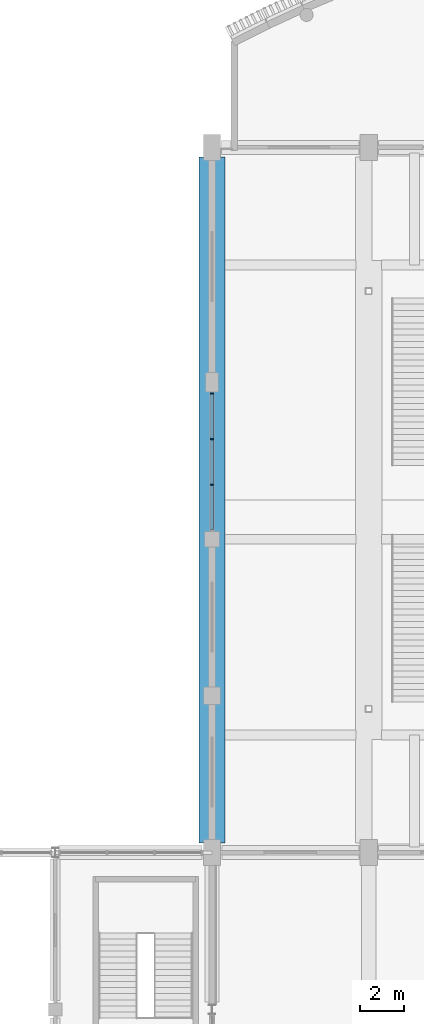
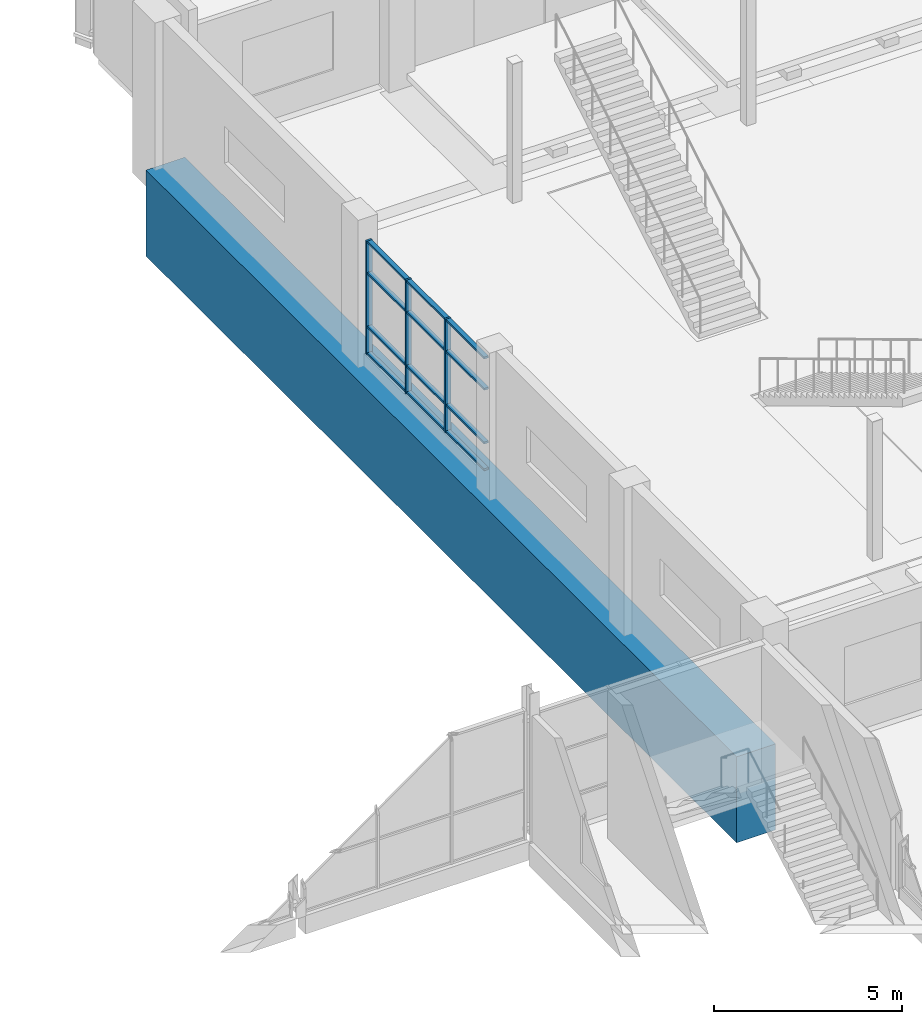
# One storey, part 34 of 82: 15 members, 1 beam, 1 element without a shape of its own.
"""IFC4 building model written with IfcOpenShell, lengths in metres."""

from ifc_helpers import new_model, si_unit, direction, frame, origin, origin_2d, place, context, subcontext, project, spatial, rectangle, extrude, material, material_profile, profile_set, type_object, element, aggregate, save


model = new_model("IFC4")

# Units and contexts
model_context = context("Model", 3, precision=1e-05, world=origin(), true_north=direction((0.0, 1.0)))
body_context = subcontext(model_context, "Body", "Model", "MODEL_VIEW")
ifc_project = project(units=[si_unit("LENGTHUNIT", "METRE"), si_unit("AREAUNIT", "SQUARE_METRE"), si_unit("VOLUMEUNIT", "CUBIC_METRE"), si_unit("PLANEANGLEUNIT", "RADIAN"), si_unit("MASSUNIT", "GRAM", prefix="KILO")], contexts=[model_context])

# Site, building, storey
site_placement = place(None, origin())
site = spatial("IfcSite", under=ifc_project, at=site_placement, CompositionType="ELEMENT")
building_placement = place(site_placement, origin())
building = spatial("IfcBuilding", under=site, at=building_placement, Name="Sardonyx Promenade Sports Hall", CompositionType="ELEMENT")
storey_placement = place(building_placement, frame((0.0, 0.0, 11.199951171875)))
storey = spatial("IfcBuildingStorey", under=building, at=storey_placement, Name="L02", CompositionType="ELEMENT", Elevation=11.199951171875)

# Beam
ifc_material_1 = material(Name="Post-tensioned concrete C50/60", Category="concrete")
ifc_material_profile_1 = material_profile(ifc_material_1, rectangle(XDim=1.199951171875, YDim=2.800048828125, at=origin_2d()))
ifc_profile_set_1 = profile_set([ifc_material_profile_1], Name="Post-tensioned concrete C50/60")
beam_type = type_object("IfcBeamType", Name="Bm_PT_Transfer_32m", PredefinedType="USERDEFINED", material=ifc_profile_set_1)
beam_placement = place(storey_placement, frame((28.800048828125, 72.449951171875, -1.39990234375), z_axis=(0.0, 1.0, 0.0), x_axis=(-1.0, 0.0, 0.0)))
element("IfcBeam", 1, at=beam_placement, inside=storey, type_object=beam_type, Name="Post-tensioned transfer girder PTG1 Grid 5", ObjectType="TRANSFER GIRDER", PredefinedType="USERDEFINED", context=body_context, shape_type="SweptSolid", body=[
    extrude(rectangle(XDim=1.199951171875, YDim=2.800048828125, at=origin_2d()), origin(), (0.0, 0.0, 1.0), 31.5),
])

# Curtain wall, members
ifc_material_2 = material(Name="Aluminium 6063-T6", Category="aluminium")
curtain_wall_type = type_object("IfcCurtainWallType", Name="CW_South_L02_640", PredefinedType="USERDEFINED", material=ifc_material_2)
curtain_wall_placement = place(storey_placement, origin())
curtain_wall = element("IfcCurtainWall", 2, at=curtain_wall_placement, inside=storey, type_object=curtain_wall_type, Name="Curtain wall CW01 cw:L02:146", ObjectType="CURTAIN WALL", PredefinedType="USERDEFINED")
ifc_material_3 = material(Name="Aluminium 6063-T6", Category="aluminium")
ifc_material_profile_2 = material_profile(ifc_material_3, rectangle(XDim=0.06494140625, YDim=0.175048828125, at=origin_2d()))
ifc_profile_set_2 = profile_set([ifc_material_profile_2], Name="Aluminium 6063-T6")
member_type_1 = type_object("IfcMemberType", Name="CW_Mull_175", PredefinedType="MULLION", material=ifc_profile_set_2)
member_1_placement = place(storey_placement, frame((28.800048828125, 88.90087890625, 0.400146484375), z_axis=(0.0, 0.0, 1.0), x_axis=(0.0, 1.0, 0.0)))
member_1 = element("IfcMember", 3, at=member_1_placement, type_object=member_type_1, Name="Mullion CM02 cw:L02:146 #2", PredefinedType="MULLION", context=body_context, shape_type="SweptSolid", body=[
    extrude(rectangle(XDim=0.06494140625, YDim=0.175048828125, at=origin_2d()), origin(), (0.0, 0.0, 1.0), 3.699951171875),
])
member_2_placement = place(storey_placement, frame((28.800048828125, 90.999267578125, 0.400146484375), z_axis=(0.0, 0.0, 1.0), x_axis=(0.0, 1.0, 0.0)))
member_2 = element("IfcMember", 4, at=member_2_placement, type_object=member_type_1, Name="Mullion CM02 cw:L02:146 #3", PredefinedType="MULLION", context=body_context, shape_type="SweptSolid", body=[
    extrude(rectangle(XDim=0.06494140625, YDim=0.175048828125, at=origin_2d()), origin(), (0.0, 0.0, 1.0), 3.699951171875),
])
member_3_placement = place(storey_placement, frame((28.800048828125, 93.097412109375, 0.400146484375), z_axis=(0.0, 0.0, 1.0), x_axis=(0.0, 1.0, 0.0)))
member_3 = element("IfcMember", 5, at=member_3_placement, type_object=member_type_1, Name="Mullion CM02 cw:L02:146 #4", PredefinedType="MULLION", context=body_context, shape_type="SweptSolid", body=[
    extrude(rectangle(XDim=0.06494140625, YDim=0.175048828125, at=origin_2d()), origin(), (0.0, 0.0, 1.0), 3.699951171875),
])
ifc_material_4 = material(Name="Aluminium 6063-T6", Category="aluminium")
ifc_material_profile_3 = material_profile(ifc_material_4, rectangle(XDim=0.06494140625, YDim=0.139892578125, at=origin_2d()))
ifc_profile_set_3 = profile_set([ifc_material_profile_3], Name="Aluminium 6063-T6")
member_type_2 = type_object("IfcMemberType", Name="CW_Tran_140", PredefinedType="USERDEFINED", material=ifc_profile_set_3)
member_4_placement = place(storey_placement, frame((28.800048828125, 86.8349609375, 0.4326171875), z_axis=(0.0, 1.0, 0.0), x_axis=(0.0, 0.0, 1.0)))
member_4 = element("IfcMember", 6, at=member_4_placement, type_object=member_type_2, Name="Transom CT02 cw:L02:146 #1", ObjectType="TRANSOM", PredefinedType="USERDEFINED", context=body_context, shape_type="SweptSolid", body=[
    extrude(rectangle(XDim=0.06494140625, YDim=0.139892578125, at=origin_2d()), origin(), (0.0, 0.0, 1.0), 2.033447265625),
])
member_5_placement = place(storey_placement, frame((28.800048828125, 86.8349609375, 1.300048828125), z_axis=(0.0, 1.0, 0.0), x_axis=(0.0, 0.0, 1.0)))
member_5 = element("IfcMember", 7, at=member_5_placement, type_object=member_type_2, Name="Transom CT02 cw:L02:146 #2", ObjectType="TRANSOM", PredefinedType="USERDEFINED", context=body_context, shape_type="SweptSolid", body=[
    extrude(rectangle(XDim=0.06494140625, YDim=0.139892578125, at=origin_2d()), origin(), (0.0, 0.0, 1.0), 2.033447265625),
])
member_6_placement = place(storey_placement, frame((28.800048828125, 86.8349609375, 3.050048828125), z_axis=(0.0, 1.0, 0.0), x_axis=(0.0, 0.0, 1.0)))
member_6 = element("IfcMember", 8, at=member_6_placement, type_object=member_type_2, Name="Transom CT02 cw:L02:146 #3", ObjectType="TRANSOM", PredefinedType="USERDEFINED", context=body_context, shape_type="SweptSolid", body=[
    extrude(rectangle(XDim=0.06494140625, YDim=0.139892578125, at=origin_2d()), origin(), (0.0, 0.0, 1.0), 2.033447265625),
])
member_7_placement = place(storey_placement, frame((28.800048828125, 86.8349609375, 4.067626953125), z_axis=(0.0, 1.0, 0.0), x_axis=(0.0, 0.0, 1.0)))
member_7 = element("IfcMember", 9, at=member_7_placement, type_object=member_type_2, Name="Transom CT02 cw:L02:146 #4", ObjectType="TRANSOM", PredefinedType="USERDEFINED", context=body_context, shape_type="SweptSolid", body=[
    extrude(rectangle(XDim=0.06494140625, YDim=0.139892578125, at=origin_2d()), origin(), (0.0, 0.0, 1.0), 2.033447265625),
])
member_8_placement = place(storey_placement, frame((28.800048828125, 88.933349609375, 0.4326171875), z_axis=(0.0, 1.0, 0.0), x_axis=(0.0, 0.0, 1.0)))
member_8 = element("IfcMember", 10, at=member_8_placement, type_object=member_type_2, Name="Transom CT02 cw:L02:146 #5", ObjectType="TRANSOM", PredefinedType="USERDEFINED", context=body_context, shape_type="SweptSolid", body=[
    extrude(rectangle(XDim=0.06494140625, YDim=0.139892578125, at=origin_2d()), origin(), (0.0, 0.0, 1.0), 2.033203125),
])
member_9_placement = place(storey_placement, frame((28.800048828125, 88.933349609375, 1.300048828125), z_axis=(0.0, 1.0, 0.0), x_axis=(0.0, 0.0, 1.0)))
member_9 = element("IfcMember", 11, at=member_9_placement, type_object=member_type_2, Name="Transom CT02 cw:L02:146 #6", ObjectType="TRANSOM", PredefinedType="USERDEFINED", context=body_context, shape_type="SweptSolid", body=[
    extrude(rectangle(XDim=0.06494140625, YDim=0.139892578125, at=origin_2d()), origin(), (0.0, 0.0, 1.0), 2.033203125),
])
member_10_placement = place(storey_placement, frame((28.800048828125, 88.933349609375, 3.050048828125), z_axis=(0.0, 1.0, 0.0), x_axis=(0.0, 0.0, 1.0)))
member_10 = element("IfcMember", 12, at=member_10_placement, type_object=member_type_2, Name="Transom CT02 cw:L02:146 #7", ObjectType="TRANSOM", PredefinedType="USERDEFINED", context=body_context, shape_type="SweptSolid", body=[
    extrude(rectangle(XDim=0.06494140625, YDim=0.139892578125, at=origin_2d()), origin(), (0.0, 0.0, 1.0), 2.033203125),
])
member_11_placement = place(storey_placement, frame((28.800048828125, 88.933349609375, 4.067626953125), z_axis=(0.0, 1.0, 0.0), x_axis=(0.0, 0.0, 1.0)))
member_11 = element("IfcMember", 13, at=member_11_placement, type_object=member_type_2, Name="Transom CT02 cw:L02:146 #8", ObjectType="TRANSOM", PredefinedType="USERDEFINED", context=body_context, shape_type="SweptSolid", body=[
    extrude(rectangle(XDim=0.06494140625, YDim=0.139892578125, at=origin_2d()), origin(), (0.0, 0.0, 1.0), 2.033203125),
])
member_12_placement = place(storey_placement, frame((28.800048828125, 91.03173828125, 0.4326171875), z_axis=(0.0, 1.0, 0.0), x_axis=(0.0, 0.0, 1.0)))
member_12 = element("IfcMember", 14, at=member_12_placement, type_object=member_type_2, Name="Transom CT02 cw:L02:146 #9", ObjectType="TRANSOM", PredefinedType="USERDEFINED", context=body_context, shape_type="SweptSolid", body=[
    extrude(rectangle(XDim=0.06494140625, YDim=0.139892578125, at=origin_2d()), origin(), (0.0, 0.0, 1.0), 2.033203125),
])
member_13_placement = place(storey_placement, frame((28.800048828125, 91.03173828125, 1.300048828125), z_axis=(0.0, 1.0, 0.0), x_axis=(0.0, 0.0, 1.0)))
member_13 = element("IfcMember", 15, at=member_13_placement, type_object=member_type_2, Name="Transom CT02 cw:L02:146 #10", ObjectType="TRANSOM", PredefinedType="USERDEFINED", context=body_context, shape_type="SweptSolid", body=[
    extrude(rectangle(XDim=0.06494140625, YDim=0.139892578125, at=origin_2d()), origin(), (0.0, 0.0, 1.0), 2.033203125),
])
member_14_placement = place(storey_placement, frame((28.800048828125, 91.03173828125, 3.050048828125), z_axis=(0.0, 1.0, 0.0), x_axis=(0.0, 0.0, 1.0)))
member_14 = element("IfcMember", 16, at=member_14_placement, type_object=member_type_2, Name="Transom CT02 cw:L02:146 #11", ObjectType="TRANSOM", PredefinedType="USERDEFINED", context=body_context, shape_type="SweptSolid", body=[
    extrude(rectangle(XDim=0.06494140625, YDim=0.139892578125, at=origin_2d()), origin(), (0.0, 0.0, 1.0), 2.033203125),
])
member_15_placement = place(storey_placement, frame((28.800048828125, 91.03173828125, 4.067626953125), z_axis=(0.0, 1.0, 0.0), x_axis=(0.0, 0.0, 1.0)))
member_15 = element("IfcMember", 17, at=member_15_placement, type_object=member_type_2, Name="Transom CT02 cw:L02:146 #12", ObjectType="TRANSOM", PredefinedType="USERDEFINED", context=body_context, shape_type="SweptSolid", body=[
    extrude(rectangle(XDim=0.06494140625, YDim=0.139892578125, at=origin_2d()), origin(), (0.0, 0.0, 1.0), 2.033203125),
])
aggregate(curtain_wall, [member_1, member_2, member_3, member_4, member_5, member_6, member_7, member_8, member_9, member_10, member_11, member_12, member_13, member_14, member_15])

save(model, "model.ifc")
